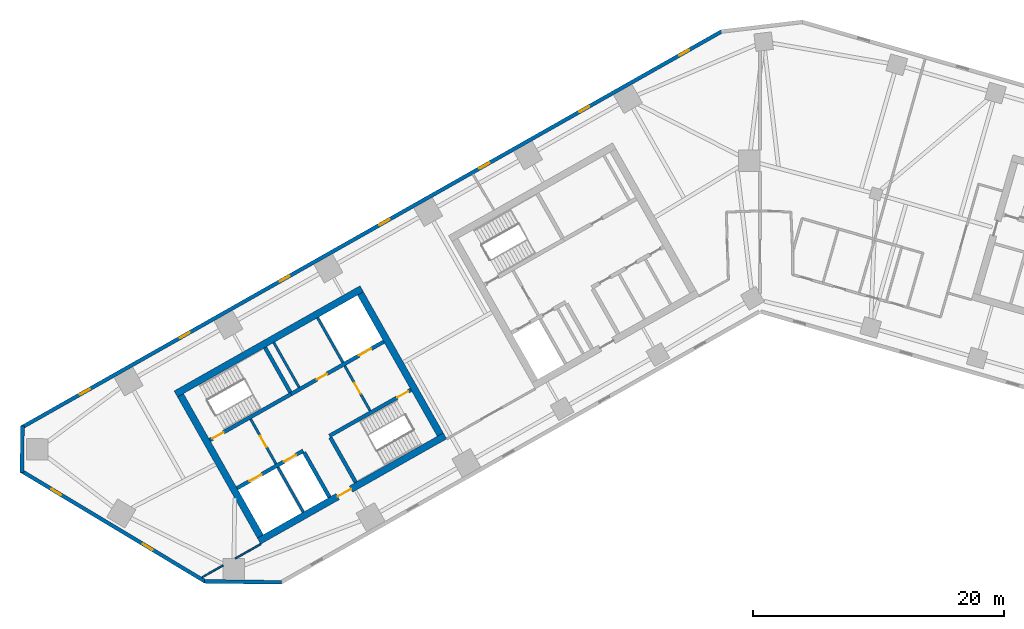
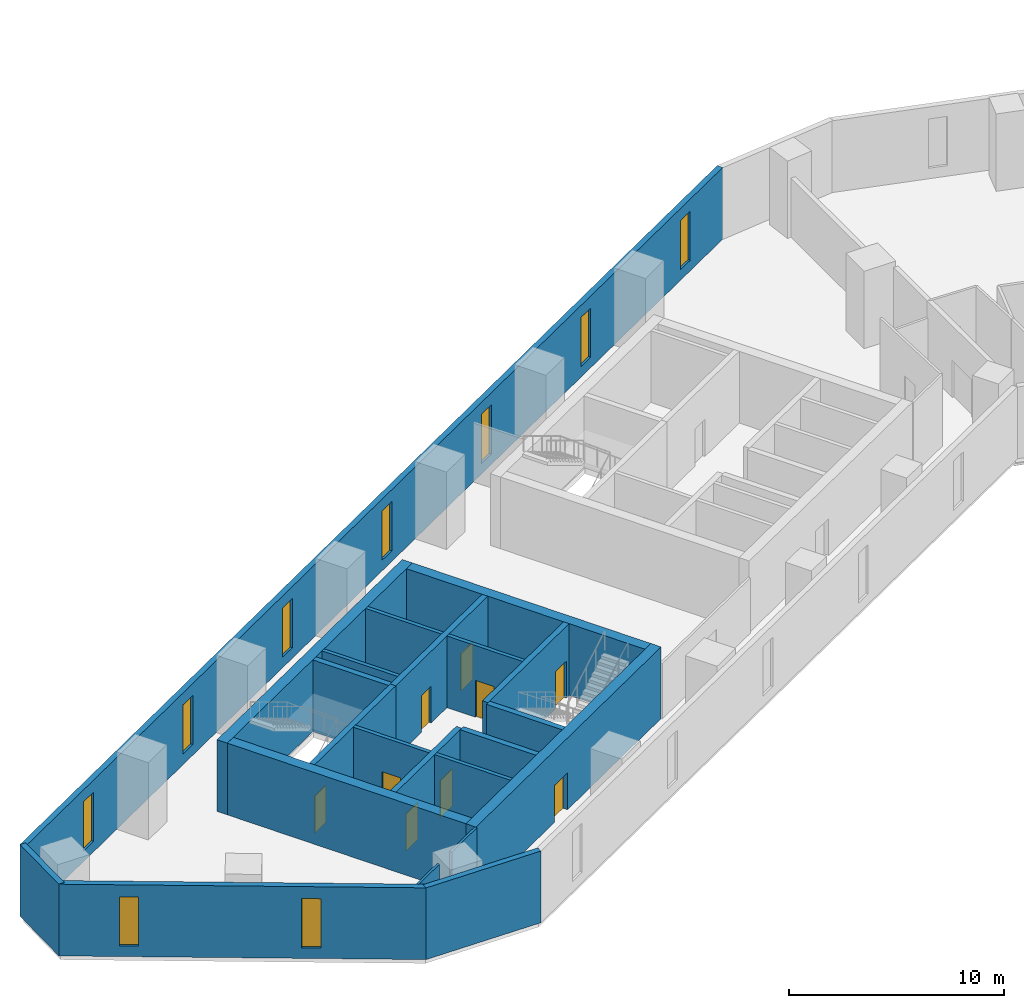
# One storey, part 3 of 10: 22 walls, 9 doors, 9 windows, 18 openings.
"""IFC4 building model written with IfcOpenShell, lengths in metres."""

from ifc_helpers import new_model, si_unit, direction, frame, frame_2d, origin, place, context, subcontext, project, spatial, rectangle, extrude, material, layer, layer_set, type_object, element, fill, save


model = new_model("IFC4")

# Units and contexts
model_context = context("Model", 3, precision=1e-05, world=origin(), true_north=direction((0.0, 1.0)))
body_context = subcontext(model_context, "Body", "Model", "MODEL_VIEW")
ifc_project = project(units=[si_unit("LENGTHUNIT", "METRE"), si_unit("AREAUNIT", "SQUARE_METRE"), si_unit("VOLUMEUNIT", "CUBIC_METRE"), si_unit("PLANEANGLEUNIT", "RADIAN"), si_unit("MASSUNIT", "GRAM", prefix="KILO")], contexts=[model_context])

# Site, building, storey
site_placement = place(None, origin())
site = spatial("IfcSite", under=ifc_project, at=site_placement, CompositionType="ELEMENT")
building_placement = place(site_placement, origin())
building = spatial("IfcBuilding", under=site, at=building_placement, Name="Binnacle Exchange Tower", CompositionType="ELEMENT")
storey_placement = place(building_placement, frame((0.0, 0.0, 136.699951171875)))
storey = spatial("IfcBuildingStorey", under=building, at=storey_placement, Name="L28", CompositionType="ELEMENT", Elevation=136.699951171875)

# Wall, openings, doors
ifc_material_1 = material(Name="Concrete C70/85", Category="concrete")
ifc_layer_1 = layer(ifc_material_1, 0.300048828125)
ifc_layer_set_1 = layer_set([ifc_layer_1], Name="Core wall - front 300")
wall_type_1 = type_object("IfcWallType", Name="Core wall - front 300", PredefinedType="SOLIDWALL", material=ifc_layer_set_1)
wall_1_placement = place(storey_placement, frame((-41.599609375, 33.936279296875, 0.0), z_axis=(0.0, 0.0, 1.0), x_axis=(0.870348557882, 0.492436176365, 0.0)))
wall_1 = element("IfcWall", 1, at=wall_1_placement, inside=storey, type_object=wall_type_1, Name="Core wall CRWA2", PredefinedType="SOLIDWALL", context=body_context, shape_type="SweptSolid", body=[
    extrude(rectangle(XDim=6.050048828125, YDim=0.300048828125, at=frame_2d((3.02490234375, 0.0))), origin(), (0.0, 0.0, 1.0), 4.080078125),
])
opening_1_placement = place(wall_1_placement, frame((1.14990234375, 0.0, 0.0)))
opening_1 = element("IfcOpeningElement", 2, at=opening_1_placement, cuts=wall_1, Name="Opening LD12", PredefinedType="OPENING", context=body_context, shape_type="SweptSolid", body=[
    extrude(rectangle(XDim=1.10009765625, YDim=2.10009765625, at=frame_2d((0.550048828125, 1.050048828125))), frame((0.0, 0.159912109375, 0.0), z_axis=(0.0, -1.0, 0.0), x_axis=(1.0, 0.0, 0.0)), (0.0, 0.0, 1.0), 0.320068359375),
])
opening_2_placement = place(wall_1_placement, frame((4.300048828125, 0.0, 0.0)))
opening_2 = element("IfcOpeningElement", 3, at=opening_2_placement, cuts=wall_1, Name="Opening LD8", PredefinedType="OPENING", context=body_context, shape_type="SweptSolid", body=[
    extrude(rectangle(XDim=1.10009765625, YDim=2.10009765625, at=frame_2d((0.550048828125, 1.050048828125))), frame((0.0, 0.159912109375, 0.0), z_axis=(0.0, -1.0, 0.0), x_axis=(1.0, 0.0, 0.0)), (0.0, 0.0, 1.0), 0.320068359375),
])
ifc_material_2 = material(Name="Steel door leaf", Category="steel")
door_type_1 = type_object("IfcDoorType", Name="Fire door - lift landing 1100", OperationType="NOTDEFINED", PredefinedType="DOOR", material=ifc_material_2)
door_1_placement = place(opening_1_placement, origin())
door_1 = element("IfcDoor", 4, at=door_1_placement, inside=storey, type_object=door_type_1, Name="Landing door LD12 L28", OperationType="DOUBLE_DOOR_SLIDING", OverallHeight=2.10009765625, OverallWidth=1.10009765625, PredefinedType="DOOR", context=body_context, shape_type="SweptSolid", body=[
    extrude(rectangle(XDim=1.10009765625, YDim=2.10009765625, at=frame_2d((0.550048828125, 1.050048828125))), frame((0.0, 0.02490234375, 0.0), z_axis=(0.0, -1.0, 0.0), x_axis=(1.0, 0.0, 0.0)), (0.0, 0.0, 1.0), 0.050048828125),
])
fill(opening_1, door_1)
door_2_placement = place(opening_2_placement, origin())
door_2 = element("IfcDoor", 5, at=door_2_placement, inside=storey, type_object=door_type_1, Name="Landing door LD8 L28", OperationType="DOUBLE_DOOR_SLIDING", OverallHeight=2.10009765625, OverallWidth=1.10009765625, PredefinedType="DOOR", context=body_context, shape_type="SweptSolid", body=[
    extrude(rectangle(XDim=1.10009765625, YDim=2.10009765625, at=frame_2d((0.550048828125, 1.050048828125))), frame((0.0, 0.02490234375, 0.0), z_axis=(0.0, -1.0, 0.0), x_axis=(1.0, 0.0, 0.0)), (0.0, 0.0, 1.0), 0.050048828125),
])
fill(opening_2, door_2)

wall_2_placement = place(storey_placement, frame((-37.281982421875, 41.4345703125, 0.0), z_axis=(0.0, 0.0, 1.0), x_axis=(0.870359895813, 0.492416136779, 0.0)))
wall_2 = element("IfcWall", 6, at=wall_2_placement, inside=storey, type_object=wall_type_1, Name="Core wall CRWA5", PredefinedType="SOLIDWALL", context=body_context, shape_type="SweptSolid", body=[
    extrude(rectangle(XDim=8.449951171875, YDim=0.300048828125, at=frame_2d((4.22509765625, 0.0))), origin(), (0.0, 0.0, 1.0), 4.080078125),
])
opening_3_placement = place(wall_2_placement, frame((6.199951171875, 0.0, 0.0)))
opening_3 = element("IfcOpeningElement", 7, at=opening_3_placement, cuts=wall_2, Name="Opening LD13", PredefinedType="OPENING", context=body_context, shape_type="SweptSolid", body=[
    extrude(rectangle(XDim=1.10009765625, YDim=2.10009765625, at=frame_2d((0.550048828125, 1.050048828125))), frame((0.0, 0.159912109375, 0.0), z_axis=(0.0, -1.0, 0.0), x_axis=(1.0, 0.0, 0.0)), (0.0, 0.0, 1.0), 0.320068359375),
])
opening_4_placement = place(wall_2_placement, frame((2.35009765625, 0.0, 0.0)))
opening_4 = element("IfcOpeningElement", 8, at=opening_4_placement, cuts=wall_2, Name="Opening DA10", PredefinedType="OPENING", context=body_context, shape_type="SweptSolid", body=[
    extrude(rectangle(XDim=0.89990234375, YDim=2.10009765625, at=frame_2d((0.449951171875, 1.050048828125))), frame((0.0, 0.159912109375, 0.0), z_axis=(0.0, -1.0, 0.0), x_axis=(1.0, 0.0, 0.0)), (0.0, 0.0, 1.0), 0.320068359375),
])
door_3_placement = place(opening_3_placement, origin())
door_3 = element("IfcDoor", 9, at=door_3_placement, inside=storey, type_object=door_type_1, Name="Landing door LD13 L28", OperationType="DOUBLE_DOOR_SLIDING", OverallHeight=2.10009765625, OverallWidth=1.10009765625, PredefinedType="DOOR", context=body_context, shape_type="SweptSolid", body=[
    extrude(rectangle(XDim=1.10009765625, YDim=2.10009765625, at=frame_2d((0.550048828125, 1.050048828125))), frame((0.0, 0.02490234375, 0.0), z_axis=(0.0, -1.0, 0.0), x_axis=(1.0, 0.0, 0.0)), (0.0, 0.0, 1.0), 0.050048828125),
])
fill(opening_3, door_3)
door_type_2 = type_object("IfcDoorType", Name="Fire door 900", OperationType="NOTDEFINED", PredefinedType="DOOR", material=ifc_material_2)
door_4_placement = place(opening_4_placement, origin())
door_4 = element("IfcDoor", 10, at=door_4_placement, inside=storey, type_object=door_type_2, Name="Core room door LINEN AND SUPPLIES STORE", OperationType="SINGLE_SWING_LEFT", OverallHeight=2.10009765625, OverallWidth=0.89990234375, PredefinedType="DOOR", context=body_context, shape_type="SweptSolid", body=[
    extrude(rectangle(XDim=0.89990234375, YDim=2.10009765625, at=frame_2d((0.449951171875, 1.050048828125))), frame((0.0, 0.02490234375, 0.0), z_axis=(0.0, -1.0, 0.0), x_axis=(1.0, 0.0, 0.0)), (0.0, 0.0, 1.0), 0.050048828125),
])
fill(opening_4, door_4)

# Wall
wall_3_placement = place(storey_placement, frame((-36.260009765625, 36.784912109375, 0.0), z_axis=(0.0, 0.0, 1.0), x_axis=(0.492408451753, -0.87036424366, 0.0)))
element("IfcWall", 11, at=wall_3_placement, inside=storey, type_object=wall_type_1, Name="Core wall CRWA13", PredefinedType="SOLIDWALL", context=body_context, shape_type="SweptSolid", body=[
    extrude(rectangle(XDim=4.099853515625, YDim=0.300048828125, at=frame_2d((2.0498046875, 0.0))), origin(), (0.0, 0.0, 1.0), 4.080078125),
])

# Wall, opening, door
ifc_layer_2 = layer(ifc_material_1, 0.550048828125)
ifc_layer_set_2 = layer_set([ifc_layer_2], Name="Core wall - outer 550")
wall_type_2 = type_object("IfcWallType", Name="Core wall - outer 550", PredefinedType="SOLIDWALL", material=ifc_layer_set_2)
wall_4_placement = place(storey_placement, frame((-39.85009765625, 29.727294921875, 0.0), z_axis=(0.0, 0.0, 1.0), x_axis=(0.870359753402, 0.492416388494, 0.0)))
wall_4 = element("IfcWall", 12, at=wall_4_placement, inside=storey, type_object=wall_type_2, Name="Core wall CRWA1", PredefinedType="SOLIDWALL", context=body_context, shape_type="SweptSolid", body=[
    extrude(rectangle(XDim=17.0, YDim=0.550048828125, at=frame_2d((8.5, 0.0))), origin(), (0.0, 0.0, 1.0), 4.080078125),
])
opening_5_placement = place(wall_4_placement, frame((7.199951171875, 0.0, 0.0)))
opening_5 = element("IfcOpeningElement", 13, at=opening_5_placement, cuts=wall_4, Name="Opening DA7", PredefinedType="OPENING", context=body_context, shape_type="SweptSolid", body=[
    extrude(rectangle(XDim=1.199951171875, YDim=2.10009765625, at=frame_2d((0.60009765625, 1.050048828125))), frame((0.0, 0.284912109375, 0.0), z_axis=(0.0, -1.0, 0.0), x_axis=(1.0, 0.0, 0.0)), (0.0, 0.0, 1.0), 0.570068359375),
])
door_type_3 = type_object("IfcDoorType", Name="Fire door 1200", OperationType="NOTDEFINED", PredefinedType="DOOR", material=ifc_material_2)
door_5_placement = place(opening_5_placement, frame((1.199951171875, 0.0, 0.0), z_axis=(0.0, 0.0, 1.0), x_axis=(-1.0, 0.0, 0.0)))
door_5 = element("IfcDoor", 14, at=door_5_placement, inside=storey, type_object=door_type_3, Name="Lift lobby entrance door core A", OperationType="SINGLE_SWING_RIGHT", OverallHeight=2.10009765625, OverallWidth=1.199951171875, PredefinedType="DOOR", context=body_context, shape_type="SweptSolid", body=[
    extrude(rectangle(XDim=1.199951171875, YDim=2.10009765625, at=frame_2d((0.60009765625, 1.050048828125))), frame((0.0, 0.02490234375, 0.0), z_axis=(0.0, -1.0, 0.0), x_axis=(1.0, 0.0, 0.0)), (0.0, 0.0, 1.0), 0.050048828125),
])
fill(opening_5, door_5)

# Walls
wall_5_placement = place(storey_placement, frame((-46.47314453125, 41.43359375, 0.0), z_axis=(0.0, 0.0, 1.0), x_axis=(0.870359753402, 0.492416388494, 0.0)))
element("IfcWall", 15, at=wall_5_placement, inside=storey, type_object=wall_type_2, Name="Core wall CRWA6", PredefinedType="SOLIDWALL", context=body_context, shape_type="SweptSolid", body=[
    extrude(rectangle(XDim=17.0, YDim=0.550048828125, at=frame_2d((8.5, 0.0))), origin(), (0.0, 0.0, 1.0), 4.080078125),
])
wall_6_placement = place(storey_placement, frame((-46.098388671875, 41.32958984375, 0.0), z_axis=(0.0, 0.0, 1.0), x_axis=(0.492418910884, -0.870358326325, 0.0)))
element("IfcWall", 16, at=wall_6_placement, inside=storey, type_object=wall_type_2, Name="Core wall CRWA7", PredefinedType="SOLIDWALL", context=body_context, shape_type="SweptSolid", body=[
    extrude(rectangle(XDim=12.900146484375, YDim=0.550048828125, at=frame_2d((6.4501953125, 0.0))), origin(), (0.0, 0.0, 1.0), 4.080078125),
])
wall_7_placement = place(storey_placement, frame((-31.781005859375, 49.429931640625, 0.0), z_axis=(0.0, 0.0, 1.0), x_axis=(0.492427022044, -0.870353737259, 0.0)))
element("IfcWall", 17, at=wall_7_placement, inside=storey, type_object=wall_type_2, Name="Core wall CRWA22", PredefinedType="SOLIDWALL", context=body_context, shape_type="SweptSolid", body=[
    extrude(rectangle(XDim=12.89990234375, YDim=0.550048828125, at=frame_2d((6.449951171875, 0.0))), origin(), (0.0, 0.0, 1.0), 4.080078125),
])

# Wall, opening, door
ifc_layer_3 = layer(ifc_material_1, 0.300048828125)
ifc_layer_set_3 = layer_set([ifc_layer_3], Name="Core wall - stair 300")
wall_type_3 = type_object("IfcWallType", Name="Core wall - stair 300", PredefinedType="SOLIDWALL", material=ifc_layer_set_3)
wall_8_placement = place(storey_placement, frame((-34.2451171875, 38.097412109375, 0.0), z_axis=(0.0, 0.0, 1.0), x_axis=(0.870360741098, 0.49241464271, 0.0)))
wall_8 = element("IfcWall", 18, at=wall_8_placement, inside=storey, type_object=wall_type_3, Name="Core wall CRWA3", PredefinedType="SOLIDWALL", context=body_context, shape_type="SweptSolid", body=[
    extrude(rectangle(XDim=7.449951171875, YDim=0.300048828125, at=frame_2d((3.72509765625, 0.0))), origin(), (0.0, 0.0, 1.0), 4.080078125),
])
opening_6_placement = place(wall_8_placement, frame((6.199951171875, 0.0, 0.0)))
opening_6 = element("IfcOpeningElement", 19, at=opening_6_placement, cuts=wall_8, Name="Opening DA2", PredefinedType="OPENING", context=body_context, shape_type="SweptSolid", body=[
    extrude(rectangle(XDim=1.0, YDim=2.10009765625, at=frame_2d((0.5, 1.050048828125))), frame((0.0, 0.159912109375, 0.0), z_axis=(0.0, -1.0, 0.0), x_axis=(1.0, 0.0, 0.0)), (0.0, 0.0, 1.0), 0.320068359375),
])
door_type_4 = type_object("IfcDoorType", Name="Fire door 1000", OperationType="NOTDEFINED", PredefinedType="DOOR", material=ifc_material_2)
door_6_placement = place(opening_6_placement, frame((1.0, 0.0, 0.0), z_axis=(0.0, 0.0, 1.0), x_axis=(-1.0, 0.0, 0.0)))
door_6 = element("IfcDoor", 20, at=door_6_placement, inside=storey, type_object=door_type_4, Name="Stair door ST-A2", OperationType="SINGLE_SWING_LEFT", OverallHeight=2.10009765625, OverallWidth=1.0, PredefinedType="DOOR", context=body_context, shape_type="SweptSolid", body=[
    extrude(rectangle(XDim=1.0, YDim=2.10009765625, at=frame_2d((0.5, 1.050048828125))), frame((0.0, 0.02490234375, 0.0), z_axis=(0.0, -1.0, 0.0), x_axis=(1.0, 0.0, 0.0)), (0.0, 0.0, 1.0), 0.050048828125),
])
fill(opening_6, door_6)

wall_9_placement = place(storey_placement, frame((-43.76611328125, 37.765869140625, 0.0), z_axis=(0.0, 0.0, 1.0), x_axis=(0.870346696097, 0.492439466932, 0.0)))
wall_9 = element("IfcWall", 21, at=wall_9_placement, inside=storey, type_object=wall_type_3, Name="Core wall CRWA4", PredefinedType="SOLIDWALL", context=body_context, shape_type="SweptSolid", body=[
    extrude(rectangle(XDim=7.449951171875, YDim=0.300048828125, at=frame_2d((3.72509765625, 0.0))), origin(), (0.0, 0.0, 1.0), 4.080078125),
])
opening_7_placement = place(wall_9_placement, frame((0.25, 0.0, 0.0)))
opening_7 = element("IfcOpeningElement", 22, at=opening_7_placement, cuts=wall_9, Name="Opening DA1", PredefinedType="OPENING", context=body_context, shape_type="SweptSolid", body=[
    extrude(rectangle(XDim=1.0, YDim=2.10009765625, at=frame_2d((0.5, 1.050048828125))), frame((0.0, 0.159912109375, 0.0), z_axis=(0.0, -1.0, 0.0), x_axis=(1.0, 0.0, 0.0)), (0.0, 0.0, 1.0), 0.320068359375),
])
door_7_placement = place(opening_7_placement, origin())
door_7 = element("IfcDoor", 23, at=door_7_placement, inside=storey, type_object=door_type_4, Name="Stair door ST-A1", OperationType="SINGLE_SWING_LEFT", OverallHeight=2.10009765625, OverallWidth=1.0, PredefinedType="DOOR", context=body_context, shape_type="SweptSolid", body=[
    extrude(rectangle(XDim=1.0, YDim=2.10009765625, at=frame_2d((0.5, 1.050048828125))), frame((0.0, 0.02490234375, 0.0), z_axis=(0.0, -1.0, 0.0), x_axis=(1.0, 0.0, 0.0)), (0.0, 0.0, 1.0), 0.050048828125),
])
fill(opening_7, door_7)

# Walls
for number, where, z_axis, x_axis, name in (
    (24, (-39.375, 45.133544921875, 0.0), (0.0, 0.0, 1.0), (0.492428039142, -0.870353161807, 0.0), "Core wall CRWA14"),
    (25, (-34.171142578125, 37.966796875, 0.0), (0.0, 0.0, 1.0), (0.492382931784, -0.870378681085, 0.0), "Core wall CRWA16"),
):
    element("IfcWall", number, at=place(storey_placement, frame(where, z_axis=z_axis, x_axis=x_axis)), inside=storey, type_object=wall_type_3, Name=name, PredefinedType="SOLIDWALL", context=body_context, shape_type="SweptSolid", body=[
        extrude(rectangle(XDim=4.10009765625, YDim=0.300048828125, at=frame_2d((2.050048828125, 0.0))), origin(), (0.0, 0.0, 1.0), 4.080078125),
    ])

# Wall, openings, windows
ifc_material_3 = material(Name="Bronze aluminium cladding", Category="aluminium")
ifc_layer_4 = layer(ifc_material_3, 0.300048828125)
ifc_layer_set_4 = layer_set([ifc_layer_4], Name="External wall - spandrel 300")
wall_type_4 = type_object("IfcWallType", Name="External wall - spandrel 300", PredefinedType="STANDARD", material=ifc_layer_set_4)
wall_10_placement = place(storey_placement, frame((-58.744873046875, 38.763671875, 0.0), z_axis=(0.0, 0.0, 1.0), x_axis=(0.870355811726, 0.492423355453, 0.0)))
wall_10 = element("IfcWall", 26, at=wall_10_placement, inside=storey, type_object=wall_type_4, Name="External wall EW-F03 L28", PredefinedType="STANDARD", context=body_context, shape_type="SweptSolid", body=[
    extrude(rectangle(XDim=64.025390625, YDim=0.300048828125, at=frame_2d((32.0126953125, 0.0))), origin(), (0.0, 0.0, 1.0), 4.080078125),
])
opening_8_placement = place(wall_10_placement, frame((60.12158203125, 0.0, 0.60009765625)))
opening_8 = element("IfcOpeningElement", 27, at=opening_8_placement, cuts=wall_10, Name="Opening WS2", PredefinedType="OPENING", context=body_context, shape_type="SweptSolid", body=[
    extrude(rectangle(XDim=0.89990234375, YDim=2.800048828125, at=frame_2d((0.449951171875, 1.39990234375))), frame((0.0, 0.159912109375, 0.0), z_axis=(0.0, -1.0, 0.0), x_axis=(1.0, 0.0, 0.0)), (0.0, 0.0, 1.0), 0.320068359375),
])
opening_9_placement = place(wall_10_placement, frame((50.99169921875, 0.0, 0.60009765625)))
opening_9 = element("IfcOpeningElement", 28, at=opening_9_placement, cuts=wall_10, Name="Opening WS2", PredefinedType="OPENING", context=body_context, shape_type="SweptSolid", body=[
    extrude(rectangle(XDim=0.89990234375, YDim=2.800048828125, at=frame_2d((0.449951171875, 1.39990234375))), frame((0.0, 0.159912109375, 0.0), z_axis=(0.0, -1.0, 0.0), x_axis=(1.0, 0.0, 0.0)), (0.0, 0.0, 1.0), 0.320068359375),
])
opening_10_placement = place(wall_10_placement, frame((41.86181640625, 0.0, 0.60009765625)))
opening_10 = element("IfcOpeningElement", 29, at=opening_10_placement, cuts=wall_10, Name="Opening WS2", PredefinedType="OPENING", context=body_context, shape_type="SweptSolid", body=[
    extrude(rectangle(XDim=0.89990234375, YDim=2.800048828125, at=frame_2d((0.449951171875, 1.39990234375))), frame((0.0, 0.159912109375, 0.0), z_axis=(0.0, -1.0, 0.0), x_axis=(1.0, 0.0, 0.0)), (0.0, 0.0, 1.0), 0.320068359375),
])
opening_11_placement = place(wall_10_placement, frame((32.73193359375, 0.0, 0.60009765625)))
opening_11 = element("IfcOpeningElement", 30, at=opening_11_placement, cuts=wall_10, Name="Opening WS2", PredefinedType="OPENING", context=body_context, shape_type="SweptSolid", body=[
    extrude(rectangle(XDim=0.89990234375, YDim=2.800048828125, at=frame_2d((0.449951171875, 1.39990234375))), frame((0.0, 0.159912109375, 0.0), z_axis=(0.0, -1.0, 0.0), x_axis=(1.0, 0.0, 0.0)), (0.0, 0.0, 1.0), 0.320068359375),
])
opening_12_placement = place(wall_10_placement, frame((23.60205078125, 0.0, 0.60009765625)))
opening_12 = element("IfcOpeningElement", 31, at=opening_12_placement, cuts=wall_10, Name="Opening WS2", PredefinedType="OPENING", context=body_context, shape_type="SweptSolid", body=[
    extrude(rectangle(XDim=0.89990234375, YDim=2.800048828125, at=frame_2d((0.449951171875, 1.39990234375))), frame((0.0, 0.159912109375, 0.0), z_axis=(0.0, -1.0, 0.0), x_axis=(1.0, 0.0, 0.0)), (0.0, 0.0, 1.0), 0.320068359375),
])
opening_13_placement = place(wall_10_placement, frame((14.47216796875, 0.0, 0.60009765625)))
opening_13 = element("IfcOpeningElement", 32, at=opening_13_placement, cuts=wall_10, Name="Opening WS2", PredefinedType="OPENING", context=body_context, shape_type="SweptSolid", body=[
    extrude(rectangle(XDim=0.89990234375, YDim=2.800048828125, at=frame_2d((0.449951171875, 1.39990234375))), frame((0.0, 0.159912109375, 0.0), z_axis=(0.0, -1.0, 0.0), x_axis=(1.0, 0.0, 0.0)), (0.0, 0.0, 1.0), 0.320068359375),
])
opening_14_placement = place(wall_10_placement, frame((5.34228515625, 0.0, 0.60009765625)))
opening_14 = element("IfcOpeningElement", 33, at=opening_14_placement, cuts=wall_10, Name="Opening WS2", PredefinedType="OPENING", context=body_context, shape_type="SweptSolid", body=[
    extrude(rectangle(XDim=0.89990234375, YDim=2.800048828125, at=frame_2d((0.449951171875, 1.39990234375))), frame((0.0, 0.159912109375, 0.0), z_axis=(0.0, -1.0, 0.0), x_axis=(1.0, 0.0, 0.0)), (0.0, 0.0, 1.0), 0.320068359375),
])
ifc_material_4 = material(Name="Bronze anodised aluminium frame", Category="aluminium")
window_type = type_object("IfcWindowType", Name="WS2 WINDOW 900x2800", PartitioningType="SINGLE_PANEL", PredefinedType="WINDOW", material=ifc_material_4)
window_1_placement = place(opening_8_placement, origin())
window_1 = element("IfcWindow", 34, at=window_1_placement, inside=storey, type_object=window_type, Name="Window WS2 L28", OverallHeight=2.800048828125, OverallWidth=0.89990234375, PartitioningType="SINGLE_PANEL", PredefinedType="WINDOW", context=body_context, shape_type="SweptSolid", body=[
    extrude(rectangle(XDim=0.89990234375, YDim=2.800048828125, at=frame_2d((0.449951171875, 1.39990234375))), frame((0.0, 0.030029296875, 0.0), z_axis=(0.0, -1.0, 0.0), x_axis=(1.0, 0.0, 0.0)), (0.0, 0.0, 1.0), 0.06005859375),
])
fill(opening_8, window_1)
window_2_placement = place(opening_9_placement, origin())
window_2 = element("IfcWindow", 35, at=window_2_placement, inside=storey, type_object=window_type, Name="Window WS2 L28", OverallHeight=2.800048828125, OverallWidth=0.89990234375, PartitioningType="SINGLE_PANEL", PredefinedType="WINDOW", context=body_context, shape_type="SweptSolid", body=[
    extrude(rectangle(XDim=0.89990234375, YDim=2.800048828125, at=frame_2d((0.449951171875, 1.39990234375))), frame((0.0, 0.030029296875, 0.0), z_axis=(0.0, -1.0, 0.0), x_axis=(1.0, 0.0, 0.0)), (0.0, 0.0, 1.0), 0.06005859375),
])
fill(opening_9, window_2)
window_3_placement = place(opening_10_placement, origin())
window_3 = element("IfcWindow", 36, at=window_3_placement, inside=storey, type_object=window_type, Name="Window WS2 L28", OverallHeight=2.800048828125, OverallWidth=0.89990234375, PartitioningType="SINGLE_PANEL", PredefinedType="WINDOW", context=body_context, shape_type="SweptSolid", body=[
    extrude(rectangle(XDim=0.89990234375, YDim=2.800048828125, at=frame_2d((0.449951171875, 1.39990234375))), frame((0.0, 0.030029296875, 0.0), z_axis=(0.0, -1.0, 0.0), x_axis=(1.0, 0.0, 0.0)), (0.0, 0.0, 1.0), 0.06005859375),
])
fill(opening_10, window_3)
window_4_placement = place(opening_11_placement, origin())
window_4 = element("IfcWindow", 37, at=window_4_placement, inside=storey, type_object=window_type, Name="Window WS2 L28", OverallHeight=2.800048828125, OverallWidth=0.89990234375, PartitioningType="SINGLE_PANEL", PredefinedType="WINDOW", context=body_context, shape_type="SweptSolid", body=[
    extrude(rectangle(XDim=0.89990234375, YDim=2.800048828125, at=frame_2d((0.449951171875, 1.39990234375))), frame((0.0, 0.030029296875, 0.0), z_axis=(0.0, -1.0, 0.0), x_axis=(1.0, 0.0, 0.0)), (0.0, 0.0, 1.0), 0.06005859375),
])
fill(opening_11, window_4)
window_5_placement = place(opening_12_placement, origin())
window_5 = element("IfcWindow", 38, at=window_5_placement, inside=storey, type_object=window_type, Name="Window WS2 L28", OverallHeight=2.800048828125, OverallWidth=0.89990234375, PartitioningType="SINGLE_PANEL", PredefinedType="WINDOW", context=body_context, shape_type="SweptSolid", body=[
    extrude(rectangle(XDim=0.89990234375, YDim=2.800048828125, at=frame_2d((0.449951171875, 1.39990234375))), frame((0.0, 0.030029296875, 0.0), z_axis=(0.0, -1.0, 0.0), x_axis=(1.0, 0.0, 0.0)), (0.0, 0.0, 1.0), 0.06005859375),
])
fill(opening_12, window_5)
window_6_placement = place(opening_13_placement, origin())
window_6 = element("IfcWindow", 39, at=window_6_placement, inside=storey, type_object=window_type, Name="Window WS2 L28", OverallHeight=2.800048828125, OverallWidth=0.89990234375, PartitioningType="SINGLE_PANEL", PredefinedType="WINDOW", context=body_context, shape_type="SweptSolid", body=[
    extrude(rectangle(XDim=0.89990234375, YDim=2.800048828125, at=frame_2d((0.449951171875, 1.39990234375))), frame((0.0, 0.030029296875, 0.0), z_axis=(0.0, -1.0, 0.0), x_axis=(1.0, 0.0, 0.0)), (0.0, 0.0, 1.0), 0.06005859375),
])
fill(opening_13, window_6)
window_7_placement = place(opening_14_placement, origin())
window_7 = element("IfcWindow", 40, at=window_7_placement, inside=storey, type_object=window_type, Name="Window WS2 L28", OverallHeight=2.800048828125, OverallWidth=0.89990234375, PartitioningType="SINGLE_PANEL", PredefinedType="WINDOW", context=body_context, shape_type="SweptSolid", body=[
    extrude(rectangle(XDim=0.89990234375, YDim=2.800048828125, at=frame_2d((0.449951171875, 1.39990234375))), frame((0.0, 0.030029296875, 0.0), z_axis=(0.0, -1.0, 0.0), x_axis=(1.0, 0.0, 0.0)), (0.0, 0.0, 1.0), 0.06005859375),
])
fill(opening_14, window_7)

# Wall
wall_11_placement = place(storey_placement, frame((-58.717041015625, 35.19384765625, 0.0), z_axis=(0.0, 0.0, 1.0), x_axis=(0.013069053407, 0.999914596275, 0.0)))
element("IfcWall", 41, at=wall_11_placement, inside=storey, type_object=wall_type_4, Name="External wall EW-F04 L28", PredefinedType="STANDARD", context=body_context, shape_type="SweptSolid", body=[
    extrude(rectangle(XDim=3.69873046875, YDim=0.300048828125, at=frame_2d((1.849365234375, 0.0))), origin(), (0.0, 0.0, 1.0), 4.080078125),
])

# Wall, openings, windows
wall_12_placement = place(storey_placement, frame((-44.109375, 26.503662109375, 0.0), z_axis=(0.0, 0.0, 1.0), x_axis=(-0.857169502585, 0.515034410344, 0.0)))
wall_12 = element("IfcWall", 42, at=wall_12_placement, inside=storey, type_object=wall_type_4, Name="External wall EW-F05 L28", PredefinedType="STANDARD", context=body_context, shape_type="SweptSolid", body=[
    extrude(rectangle(XDim=17.126708984375, YDim=0.300048828125, at=frame_2d((8.5634765625, 0.0))), origin(), (0.0, 0.0, 1.0), 4.080078125),
])
opening_15_placement = place(wall_12_placement, frame((13.403076171875, 0.0, 0.60009765625)))
opening_15 = element("IfcOpeningElement", 43, at=opening_15_placement, cuts=wall_12, Name="Opening WS2", PredefinedType="OPENING", context=body_context, shape_type="SweptSolid", body=[
    extrude(rectangle(XDim=0.89990234375, YDim=2.800048828125, at=frame_2d((0.449951171875, 1.39990234375))), frame((0.0, 0.159912109375, 0.0), z_axis=(0.0, -1.0, 0.0), x_axis=(1.0, 0.0, 0.0)), (0.0, 0.0, 1.0), 0.320068359375),
])
opening_16_placement = place(wall_12_placement, frame((4.903076171875, 0.0, 0.60009765625)))
opening_16 = element("IfcOpeningElement", 44, at=opening_16_placement, cuts=wall_12, Name="Opening WS2", PredefinedType="OPENING", context=body_context, shape_type="SweptSolid", body=[
    extrude(rectangle(XDim=0.89990234375, YDim=2.800048828125, at=frame_2d((0.449951171875, 1.39990234375))), frame((0.0, 0.159912109375, 0.0), z_axis=(0.0, -1.0, 0.0), x_axis=(1.0, 0.0, 0.0)), (0.0, 0.0, 1.0), 0.320068359375),
])
window_8_placement = place(opening_15_placement, origin())
window_8 = element("IfcWindow", 45, at=window_8_placement, inside=storey, type_object=window_type, Name="Window WS2 L28", OverallHeight=2.800048828125, OverallWidth=0.89990234375, PartitioningType="SINGLE_PANEL", PredefinedType="WINDOW", context=body_context, shape_type="SweptSolid", body=[
    extrude(rectangle(XDim=0.89990234375, YDim=2.800048828125, at=frame_2d((0.449951171875, 1.39990234375))), frame((0.0, 0.030029296875, 0.0), z_axis=(0.0, -1.0, 0.0), x_axis=(1.0, 0.0, 0.0)), (0.0, 0.0, 1.0), 0.06005859375),
])
fill(opening_15, window_8)
window_9_placement = place(opening_16_placement, origin())
window_9 = element("IfcWindow", 46, at=window_9_placement, inside=storey, type_object=window_type, Name="Window WS2 L28", OverallHeight=2.800048828125, OverallWidth=0.89990234375, PartitioningType="SINGLE_PANEL", PredefinedType="WINDOW", context=body_context, shape_type="SweptSolid", body=[
    extrude(rectangle(XDim=0.89990234375, YDim=2.800048828125, at=frame_2d((0.449951171875, 1.39990234375))), frame((0.0, 0.030029296875, 0.0), z_axis=(0.0, -1.0, 0.0), x_axis=(1.0, 0.0, 0.0)), (0.0, 0.0, 1.0), 0.06005859375),
])
fill(opening_16, window_9)

# Wall
wall_13_placement = place(storey_placement, frame((-38.057373046875, 26.44482421875, 0.0), z_axis=(0.0, 0.0, 1.0), x_axis=(-0.999914086342, 0.013108010296, 0.0)))
element("IfcWall", 47, at=wall_13_placement, inside=storey, type_object=wall_type_4, Name="External wall EW-F06 L28", PredefinedType="STANDARD", context=body_context, shape_type="SweptSolid", body=[
    extrude(rectangle(XDim=6.127685546875, YDim=0.300048828125, at=frame_2d((3.06396484375, 0.0))), origin(), (0.0, 0.0, 1.0), 4.080078125),
])

# Wall, opening, door
ifc_material_5 = material(Name="Masonry block wall", Category="masonry")
ifc_layer_5 = layer(ifc_material_5, 0.199951171875)
ifc_layer_set_5 = layer_set([ifc_layer_5], Name="Fire wall - vestibule 200")
wall_type_5 = type_object("IfcWallType", Name="Fire wall - vestibule 200", PredefinedType="PARTITIONING", material=ifc_layer_set_5)
wall_14_placement = place(storey_placement, frame((-40.515625, 39.4326171875, 0.0), z_axis=(0.0, 0.0, 1.0), x_axis=(0.492453559952, -0.87033872216, 0.0)))
wall_14 = element("IfcWall", 48, at=wall_14_placement, inside=storey, type_object=wall_type_5, Name="Core wall CRWA10", PredefinedType="PARTITIONING", context=body_context, shape_type="SweptSolid", body=[
    extrude(rectangle(XDim=4.099853515625, YDim=0.199951171875, at=frame_2d((2.0498046875, 0.0))), origin(), (0.0, 0.0, 1.0), 4.080078125),
])
opening_17_placement = place(wall_14_placement, frame((1.550048828125, 0.0, 0.0)))
opening_17 = element("IfcOpeningElement", 49, at=opening_17_placement, cuts=wall_14, Name="Opening DA3", PredefinedType="OPENING", context=body_context, shape_type="SweptSolid", body=[
    extrude(rectangle(XDim=1.0, YDim=2.10009765625, at=frame_2d((0.5, 1.050048828125))), frame((0.0, 0.10986328125, 0.0), z_axis=(0.0, -1.0, 0.0), x_axis=(1.0, 0.0, 0.0)), (0.0, 0.0, 1.0), 0.219970703125),
])
door_8_placement = place(opening_17_placement, frame((1.0, 0.0, 0.0), z_axis=(0.0, 0.0, 1.0), x_axis=(-1.0, 0.0, 0.0)))
door_8 = element("IfcDoor", 50, at=door_8_placement, inside=storey, type_object=door_type_4, Name="Vestibule door VEST-W", OperationType="SINGLE_SWING_LEFT", OverallHeight=2.10009765625, OverallWidth=1.0, PredefinedType="DOOR", context=body_context, shape_type="SweptSolid", body=[
    extrude(rectangle(XDim=1.0, YDim=2.10009765625, at=frame_2d((0.5, 1.050048828125))), frame((0.0, 0.02490234375, 0.0), z_axis=(0.0, -1.0, 0.0), x_axis=(1.0, 0.0, 0.0)), (0.0, 0.0, 1.0), 0.050048828125),
])
fill(opening_17, door_8)

wall_15_placement = place(storey_placement, frame((-33.030517578125, 43.66748046875, 0.0), z_axis=(0.0, 0.0, 1.0), x_axis=(0.492408451753, -0.87036424366, 0.0)))
wall_15 = element("IfcWall", 51, at=wall_15_placement, inside=storey, type_object=wall_type_5, Name="Core wall CRWA19", PredefinedType="PARTITIONING", context=body_context, shape_type="SweptSolid", body=[
    extrude(rectangle(XDim=4.099853515625, YDim=0.199951171875, at=frame_2d((2.0498046875, 0.0))), origin(), (0.0, 0.0, 1.0), 4.080078125),
])
opening_18_placement = place(wall_15_placement, frame((1.550048828125, 0.0, 0.0)))
opening_18 = element("IfcOpeningElement", 52, at=opening_18_placement, cuts=wall_15, Name="Opening DA4", PredefinedType="OPENING", context=body_context, shape_type="SweptSolid", body=[
    extrude(rectangle(XDim=1.0, YDim=2.10009765625, at=frame_2d((0.5, 1.050048828125))), frame((0.0, 0.10986328125, 0.0), z_axis=(0.0, -1.0, 0.0), x_axis=(1.0, 0.0, 0.0)), (0.0, 0.0, 1.0), 0.219970703125),
])
door_9_placement = place(opening_18_placement, origin())
door_9 = element("IfcDoor", 53, at=door_9_placement, inside=storey, type_object=door_type_4, Name="Vestibule door VEST-E", OperationType="SINGLE_SWING_RIGHT", OverallHeight=2.10009765625, OverallWidth=1.0, PredefinedType="DOOR", context=body_context, shape_type="SweptSolid", body=[
    extrude(rectangle(XDim=1.0, YDim=2.10009765625, at=frame_2d((0.5, 1.050048828125))), frame((0.0, 0.02490234375, 0.0), z_axis=(0.0, -1.0, 0.0), x_axis=(1.0, 0.0, 0.0)), (0.0, 0.0, 1.0), 0.050048828125),
])
fill(opening_18, door_9)

# Walls
ifc_material_6 = material(Name="Gypsum partition")
ifc_layer_6 = layer(ifc_material_6, 0.125)
ifc_layer_set_6 = layer_set([ifc_layer_6], Name="Partition 125")
wall_type_6 = type_object("IfcWallType", Name="Partition 125", PredefinedType="PARTITIONING", material=ifc_layer_set_6)
wall_16_placement = place(storey_placement, frame((-44.385986328125, 26.844970703125, 0.0), z_axis=(0.0, 0.0, 1.0), x_axis=(0.870226201187, 0.492652371118, 0.0)))
element("IfcWall", 54, at=wall_16_placement, inside=storey, type_object=wall_type_6, Name="Partition W01", PredefinedType="PARTITIONING", context=body_context, shape_type="SweptSolid", body=[
    extrude(rectangle(XDim=1.9326171875, YDim=0.125, at=frame_2d((0.96630859375, 0.0))), origin(), (0.0, 0.0, 1.0), 4.080078125),
])
wall_17_placement = place(storey_placement, frame((-41.738037109375, 28.343017578125, 0.0), z_axis=(0.0, 0.0, 1.0), x_axis=(0.870265350095, 0.492583211676, 0.0)))
element("IfcWall", 55, at=wall_17_placement, inside=storey, type_object=wall_type_6, Name="Partition W02", PredefinedType="PARTITIONING", context=body_context, shape_type="SweptSolid", body=[
    extrude(rectangle(XDim=2.324462890625, YDim=0.125, at=frame_2d((1.162109375, 0.0))), origin(), (0.0, 0.0, 1.0), 4.080078125),
])
ifc_layer_7 = layer(ifc_material_5, 0.199951171875)
ifc_layer_set_7 = layer_set([ifc_layer_7], Name="Riser wall 200")
wall_type_7 = type_object("IfcWallType", Name="Riser wall 200", PredefinedType="SOLIDWALL", material=ifc_layer_set_7)
wall_18_placement = place(storey_placement, frame((-38.6787109375, 45.52734375, 0.0), z_axis=(0.0, 0.0, 1.0), x_axis=(0.492453559952, -0.87033872216, 0.0)))
element("IfcWall", 56, at=wall_18_placement, inside=storey, type_object=wall_type_7, Name="Core wall CRWA15", PredefinedType="SOLIDWALL", context=body_context, shape_type="SweptSolid", body=[
    extrude(rectangle(XDim=4.099853515625, YDim=0.199951171875, at=frame_2d((2.0498046875, 0.0))), origin(), (0.0, 0.0, 1.0), 4.080078125),
])
ifc_layer_8 = layer(ifc_material_5, 0.199951171875)
ifc_layer_set_8 = layer_set([ifc_layer_8], Name="Shaft wall 200")
wall_type_8 = type_object("IfcWallType", Name="Shaft wall 200", PredefinedType="SOLIDWALL", material=ifc_layer_set_8)
wall_19_placement = place(storey_placement, frame((-38.348876953125, 35.603271484375, 0.0), z_axis=(0.0, 0.0, 1.0), x_axis=(0.492382931784, -0.870378681085, 0.0)))
element("IfcWall", 57, at=wall_19_placement, inside=storey, type_object=wall_type_8, Name="Core wall CRWA9", PredefinedType="SOLIDWALL", context=body_context, shape_type="SweptSolid", body=[
    extrude(rectangle(XDim=4.10009765625, YDim=0.199951171875, at=frame_2d((2.050048828125, 0.0))), origin(), (0.0, 0.0, 1.0), 4.080078125),
])
wall_20_placement = place(storey_placement, frame((-35.197265625, 47.4970703125, 0.0), z_axis=(0.0, 0.0, 1.0), x_axis=(0.492453559952, -0.87033872216, 0.0)))
element("IfcWall", 58, at=wall_20_placement, inside=storey, type_object=wall_type_8, Name="Core wall CRWA21", PredefinedType="SOLIDWALL", context=body_context, shape_type="SweptSolid", body=[
    extrude(rectangle(XDim=4.099853515625, YDim=0.199951171875, at=frame_2d((2.0498046875, 0.0))), origin(), (0.0, 0.0, 1.0), 4.080078125),
])

save(model, "model.ifc")
